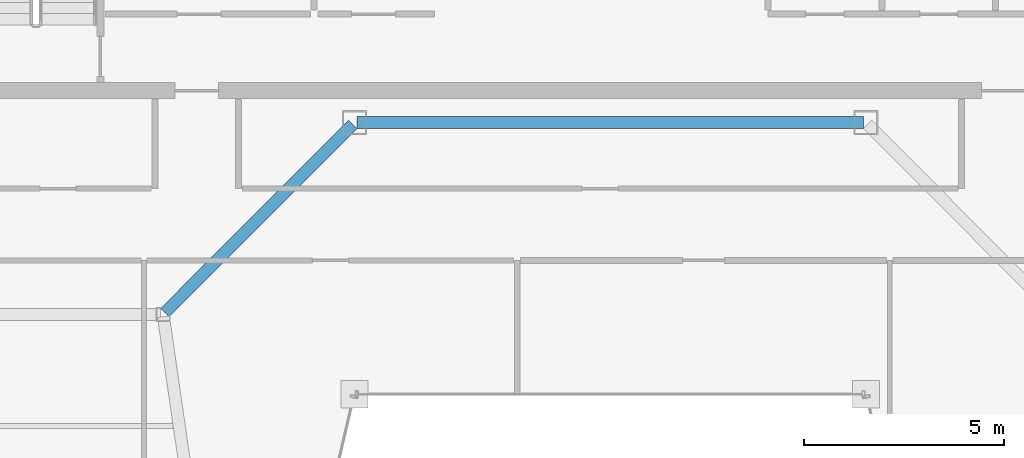
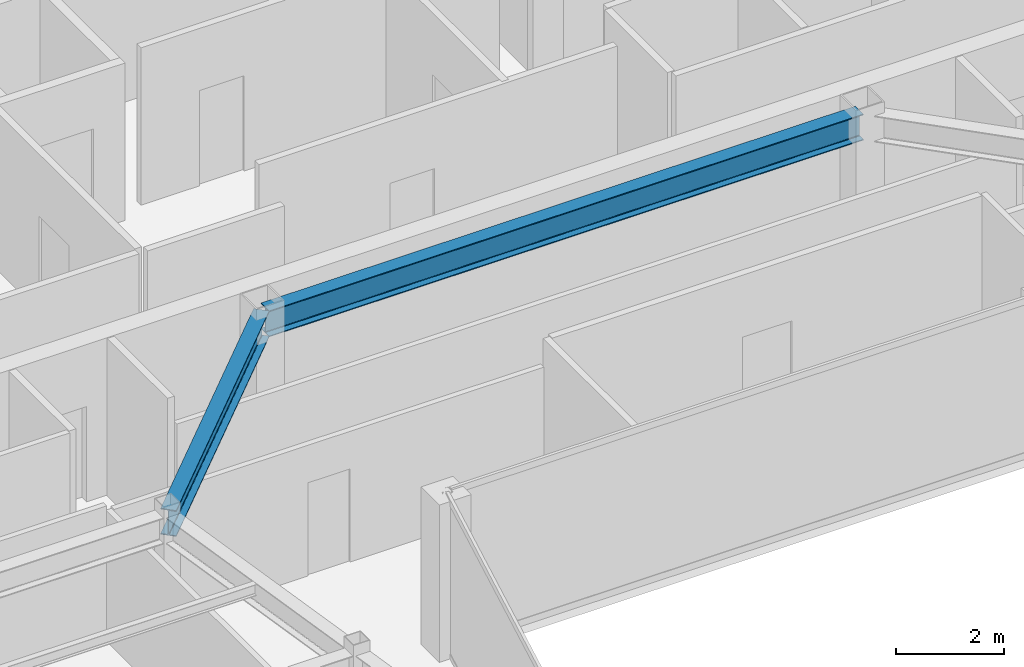
# One storey, part 11 of 32: 2 beams.
"""IFC4 building model written with IfcOpenShell, lengths in metres."""

from ifc_helpers import new_model, si_unit, direction, frame, origin, origin_2d, place, context, subcontext, project, spatial, i_section, extrude, material, material_profile, profile_set, type_object, element, save


model = new_model("IFC4")

# Units and contexts
model_context = context("Model", 3, precision=1e-05, world=origin(), true_north=direction((0.0, 1.0)))
body_context = subcontext(model_context, "Body", "Model", "MODEL_VIEW")
ifc_project = project(units=[si_unit("LENGTHUNIT", "METRE"), si_unit("AREAUNIT", "SQUARE_METRE"), si_unit("VOLUMEUNIT", "CUBIC_METRE"), si_unit("PLANEANGLEUNIT", "RADIAN"), si_unit("MASSUNIT", "GRAM", prefix="KILO")], contexts=[model_context])

# Site, building, storey
site_placement = place(None, origin())
site = spatial("IfcSite", under=ifc_project, at=site_placement, CompositionType="ELEMENT")
building_placement = place(site_placement, origin())
building = spatial("IfcBuilding", under=site, at=building_placement, Name="Saevonmaru Cultural Tower", CompositionType="ELEMENT")
storey_placement = place(building_placement, frame((0.0, 0.0, 268.60009765625)))
storey = spatial("IfcBuildingStorey", under=building, at=storey_placement, Name="L63", CompositionType="ELEMENT", Elevation=268.60009765625)

# Beams
ifc_material = material(Name="Steel SM355", Category="steel")
ifc_material_profile = material_profile(ifc_material, i_section(OverallWidth=0.300048828125, OverallDepth=0.587890625, WebThickness=0.011962890625, FlangeThickness=0.02001953125, FilletRadius=0.02392578125, at=origin_2d()), Name="H-588x300x12x20")
ifc_profile_set = profile_set([ifc_material_profile], Name="Steel SM355")
beam_type = type_object("IfcBeamType", Name="BM-G-H588", PredefinedType="BEAM", material=ifc_profile_set)
beam_1_placement = place(storey_placement, frame((23.659912109375, 42.39990234375, 3.255859375), z_axis=(1.0, 0.0, 0.0), x_axis=(0.0, 1.0, 0.0)))
element("IfcBeam", 1, at=beam_1_placement, inside=storey, type_object=beam_type, Name="L63 Core South Girder 3", PredefinedType="BEAM", context=body_context, shape_type="SweptSolid", body=[
    extrude(i_section(OverallWidth=0.300048828125, OverallDepth=0.587890625, WebThickness=0.011962890625, FlangeThickness=0.02001953125, FilletRadius=0.02392578125, at=origin_2d()), origin(), (0.0, 0.0, 1.0), 12.68017578125),
])
beam_2_placement = place(storey_placement, frame((18.850341796875, 37.642578125, 3.255859375), z_axis=(0.706538566564, 0.707674539572, 0.0), x_axis=(-0.707674539572, 0.706538566564, 0.0)))
element("IfcBeam", 2, at=beam_2_placement, inside=storey, type_object=beam_type, Name="L63 West Atrium Girder 3", PredefinedType="BEAM", context=body_context, shape_type="SweptSolid", body=[
    extrude(i_section(OverallWidth=0.300048828125, OverallDepth=0.587890625, WebThickness=0.011962890625, FlangeThickness=0.02001953125, FilletRadius=0.02392578125, at=origin_2d()), origin(), (0.0, 0.0, 1.0), 6.662353515625),
])

save(model, "model.ifc")
